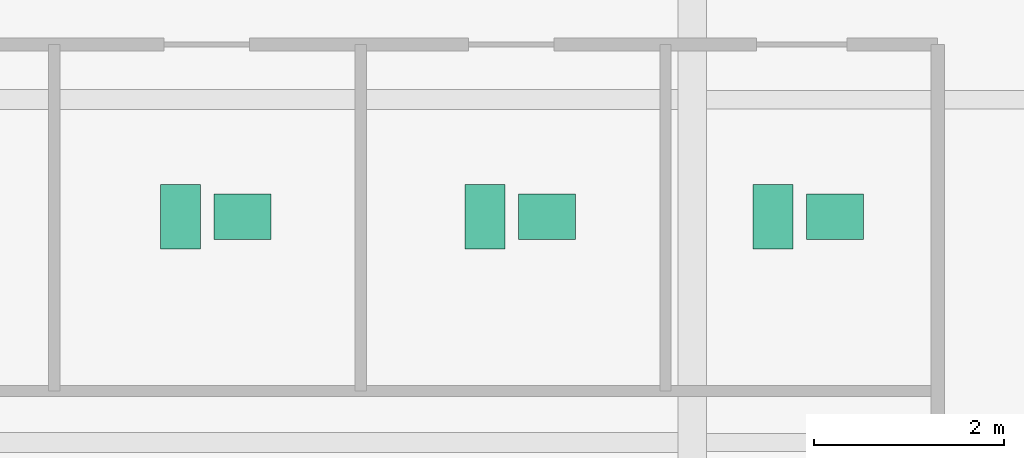
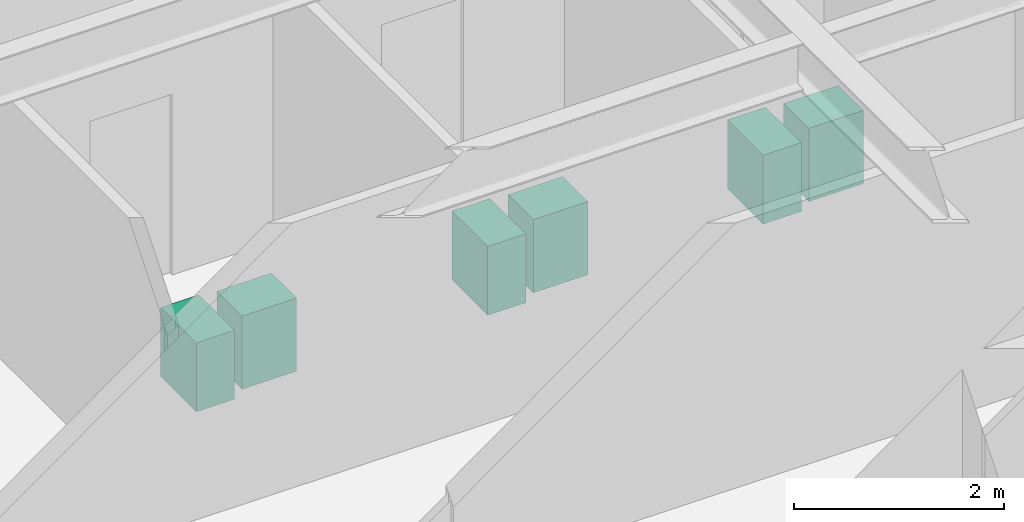
# One storey, part 30 of 30: 6 sanitary terminals.
"""IFC4 building model written with IfcOpenShell, lengths in metres."""

from ifc_helpers import new_model, si_unit, direction, frame, origin, origin_2d, place, context, subcontext, project, spatial, rectangle, extrude, source, transform, mapped, material, type_object, type_shapes, element, save


model = new_model("IFC4")

# Units and contexts
model_context = context("Model", 3, precision=1e-05, world=origin(), true_north=direction((0.0, 1.0)))
body_context = subcontext(model_context, "Body", "Model", "MODEL_VIEW")
ifc_project = project(units=[si_unit("LENGTHUNIT", "METRE"), si_unit("AREAUNIT", "SQUARE_METRE"), si_unit("VOLUMEUNIT", "CUBIC_METRE"), si_unit("PLANEANGLEUNIT", "RADIAN"), si_unit("MASSUNIT", "GRAM", prefix="KILO")], contexts=[model_context])

# Site, building, storey
site_placement = place(None, origin())
site = spatial("IfcSite", under=ifc_project, at=site_placement, CompositionType="ELEMENT")
building_placement = place(site_placement, origin())
building = spatial("IfcBuilding", under=site, at=building_placement, Name="Krantzveldt Concourse Tower", CompositionType="ELEMENT")
storey_placement = place(building_placement, frame((0.0, 0.0, 40.800048828125)))
storey = spatial("IfcBuildingStorey", under=building, at=storey_placement, Name="L09", CompositionType="ELEMENT", Elevation=40.800048828125)

# Sanitary terminals
ifc_material = material(Name="Vitreous china", Category="ceramic")
sanitary_terminal_type_1 = type_object("IfcSanitaryTerminalType", Name="SAN-WC-SUITE", PredefinedType="TOILETPAN", material=ifc_material)
shared_shape_1 = source(origin(), body_context, "Body", "SweptSolid", [
    extrude(rectangle(XDim=0.419921875, YDim=0.679931640625, at=origin_2d()), origin(), (0.0, 0.0, 1.0), 0.800048828125),
])
type_shapes(sanitary_terminal_type_1, [shared_shape_1])
for number, where, z_axis, x_axis, name in (
    (1, (36.02490234375, 32.570068359375, 0.0), (0.0, 0.0, 1.0), (1.0, 0.0, 0.0), "WC-SP-L09-WCM"),
    (2, (39.22509765625, 32.570068359375, 0.0), (0.0, 0.0, 1.0), (1.0, 0.0, 0.0), "WC-SP-L09-WCF"),
    (3, (42.25, 32.570068359375, 0.0), (0.0, 0.0, 1.0), (1.0, 0.0, 0.0), "WC-SP-L09-WCA"),
):
    element("IfcSanitaryTerminal", number, at=place(storey_placement, frame(where, z_axis=z_axis, x_axis=x_axis)), inside=storey, type_object=sanitary_terminal_type_1, Name=name, PredefinedType="TOILETPAN", context=body_context, shape_type="MappedRepresentation", body=[
        mapped(shared_shape_1, transform((0.0, 0.0, 0.0), x_axis=(1.0, 0.0, 0.0), y_axis=(0.0, 1.0, 0.0), z_axis=(0.0, 0.0, 1.0), scale=1.0)),
    ])
sanitary_terminal_type_2 = type_object("IfcSanitaryTerminalType", Name="SAN-BASIN-600", PredefinedType="WASHHANDBASIN", material=ifc_material)
shared_shape_2 = source(origin(), body_context, "Body", "SweptSolid", [
    extrude(rectangle(XDim=0.60009765625, YDim=0.47998046875, at=origin_2d()), origin(), (0.0, 0.0, 1.0), 0.85009765625),
])
type_shapes(sanitary_terminal_type_2, [shared_shape_2])
for number, where, z_axis, x_axis, name in (
    (4, (36.675048828125, 32.570068359375, 0.0048828125), (0.0, 0.0, 1.0), (1.0, 0.0, 0.0), "BSN-SP-L09-WCM"),
    (5, (39.875, 32.570068359375, 0.0048828125), (0.0, 0.0, 1.0), (1.0, 0.0, 0.0), "BSN-SP-L09-WCF"),
    (6, (42.89990234375, 32.570068359375, 0.0048828125), (0.0, 0.0, 1.0), (1.0, 0.0, 0.0), "BSN-SP-L09-WCA"),
):
    element("IfcSanitaryTerminal", number, at=place(storey_placement, frame(where, z_axis=z_axis, x_axis=x_axis)), inside=storey, type_object=sanitary_terminal_type_2, Name=name, PredefinedType="WASHHANDBASIN", context=body_context, shape_type="MappedRepresentation", body=[
        mapped(shared_shape_2, transform((0.0, 0.0, 0.0), x_axis=(1.0, 0.0, 0.0), y_axis=(0.0, 1.0, 0.0), z_axis=(0.0, 0.0, 1.0), scale=1.0)),
    ])

save(model, "model.ifc")
